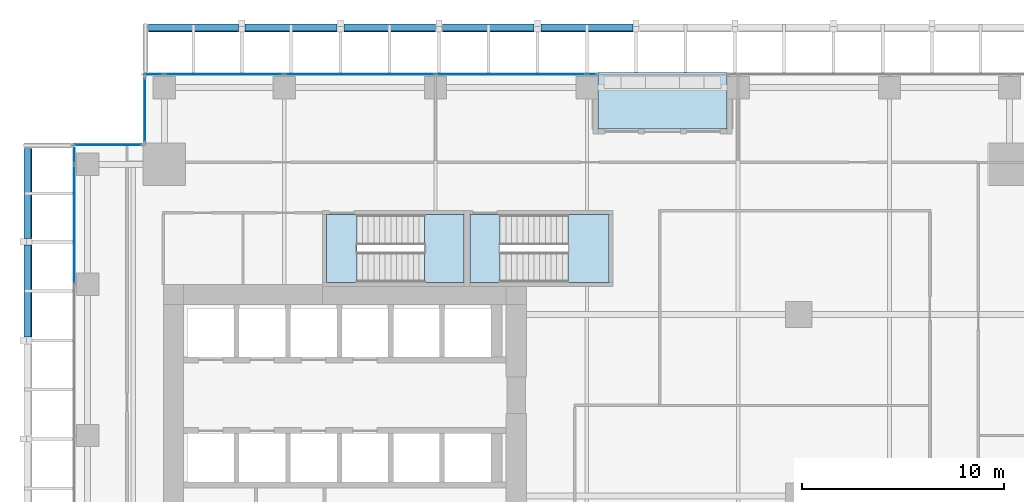
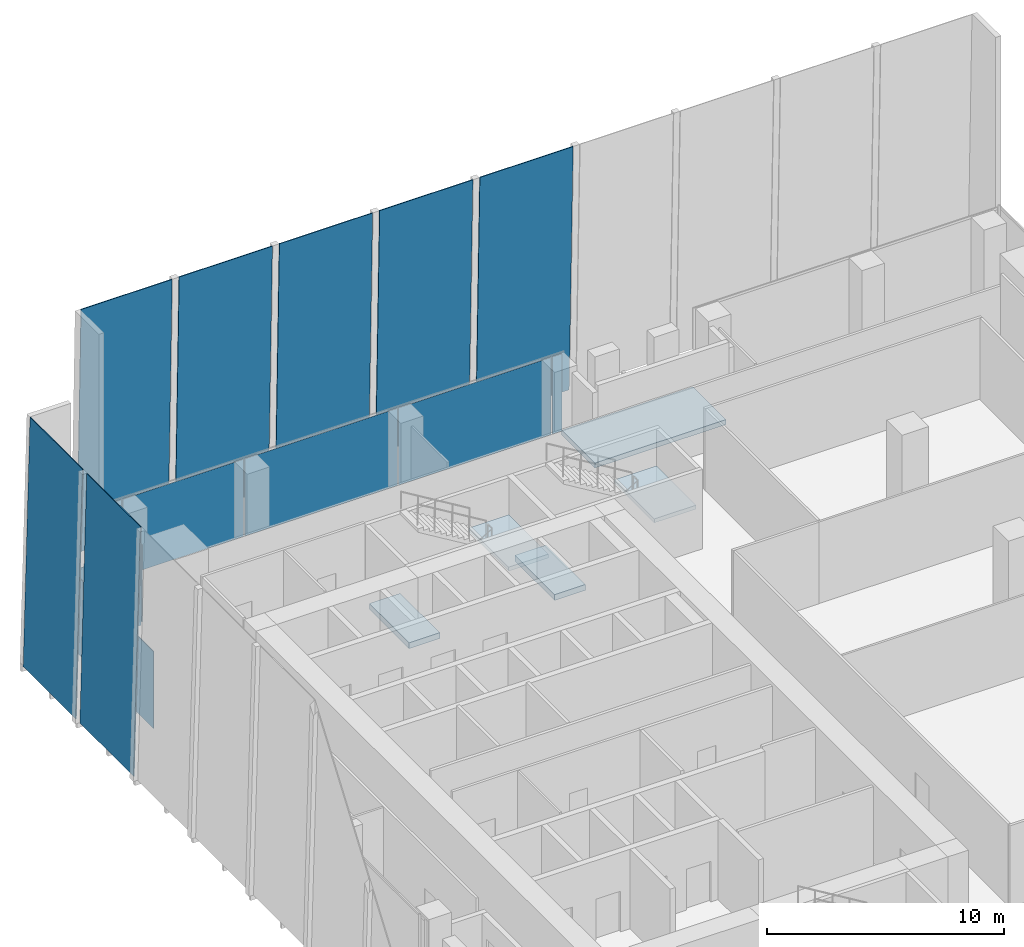
# One storey, part 24 of 34: 16 plates, 5 slabs, 6 elements without a shape of their own.
"""IFC4 building model written with IfcOpenShell, lengths in metres."""

from ifc_helpers import new_model, si_unit, direction, frame, origin, origin_2d, place, context, subcontext, project, spatial, polyline, rectangle, outline, extrude, source, transform, mapped, material, layer, layer_set, type_object, element, aggregate, save


model = new_model("IFC4")

# Units and contexts
model_context = context("Model", 3, precision=1e-05, world=origin(), true_north=direction((0.0, 1.0)))
body_context = subcontext(model_context, "Body", "Model", "MODEL_VIEW")
ifc_project = project(units=[si_unit("LENGTHUNIT", "METRE"), si_unit("AREAUNIT", "SQUARE_METRE"), si_unit("VOLUMEUNIT", "CUBIC_METRE"), si_unit("PLANEANGLEUNIT", "RADIAN"), si_unit("MASSUNIT", "GRAM", prefix="KILO")], contexts=[model_context])

# Site, building, storey
site_placement = place(None, origin())
site = spatial("IfcSite", under=ifc_project, at=site_placement, CompositionType="ELEMENT")
building_placement = place(site_placement, origin())
building = spatial("IfcBuilding", under=site, at=building_placement, Name="Khomas Fold Tower", CompositionType="ELEMENT")
storey_placement = place(building_placement, frame((0.0, 0.0, 114.699951171875)))
storey = spatial("IfcBuildingStorey", under=building, at=storey_placement, Name="L24", CompositionType="ELEMENT", Elevation=114.699951171875)

# Plates
ifc_material_1 = material(Name="Clear laminated glass", Category="glass")
ifc_layer_1 = layer(ifc_material_1, 0.0400390625)
ifc_layer_set_1 = layer_set([ifc_layer_1], Name="Clear laminated glass")
plate_type_1 = type_object("IfcPlateType", Name="SK-Clear laminated glass leaf", PredefinedType="SHEET", material=ifc_layer_set_1)
plate_1_placement = place(storey_placement, frame((5.27001953125, 54.894287109375, 0.0009765625), z_axis=(0.0, 0.999657592188, 0.026166741891), x_axis=(1.0, 0.0, 0.0)))
element("IfcPlate", 1, at=plate_1_placement, inside=storey, type_object=plate_type_1, Name="OUTER SKIN glass L24 N1", PredefinedType="SHEET", context=body_context, shape_type="SweptSolid", body=[
    extrude(outline(polyline([(0.0, 0.0), (4.448974609375, 0.0), (4.448974609375, -12.75436719496662), (0.0, -12.75436719496662), (0.0, 0.0)])), origin(), (0.0, 0.0, -1.0), 0.0400390625),
])
for number, where, z_axis, x_axis, name in (
    (2, (10.058837890625, 54.894287109375, 0.0009765625), (0.0, 0.999657592188, 0.026166741891), (1.0, 0.0, 0.0), "OUTER SKIN glass L24 N3"),
    (3, (14.94775390625, 54.894287109375, 0.0009765625), (0.0, 0.999657592188, 0.026166741891), (1.0, 0.0, 0.0), "OUTER SKIN glass L24 N5"),
    (4, (19.836669921875, 54.894287109375, 0.0009765625), (0.0, 0.999657592188, 0.026166741891), (1.0, 0.0, 0.0), "OUTER SKIN glass L24 N7"),
    (5, (24.7255859375, 54.894287109375, 0.0009765625), (0.0, 0.999657592188, 0.026166741891), (1.0, 0.0, 0.0), "OUTER SKIN glass L24 N9"),
    (6, (-0.894287109375, 39.392333984375, 0.0009765625), (-0.999657592188, 0.0, 0.026166741891), (0.0, 1.0, 0.0), "OUTER SKIN glass L24 W15"),
):
    element("IfcPlate", number, at=place(storey_placement, frame(where, z_axis=z_axis, x_axis=x_axis)), inside=storey, type_object=plate_type_1, Name=name, PredefinedType="SHEET", context=body_context, shape_type="SweptSolid", body=[
        extrude(outline(polyline([(0.0, 0.0), (4.548828125, 0.0), (4.548828125, -12.75436719496662), (0.0, -12.75436719496662), (0.0, 0.0)])), origin(), (0.0, 0.0, -1.0), 0.0400390625),
    ])
plate_2_placement = place(storey_placement, frame((-0.894287109375, 44.281005859375, 0.0009765625), z_axis=(-0.999657592188, 0.0, 0.026166741891), x_axis=(0.0, 1.0, 0.0)))
element("IfcPlate", 7, at=plate_2_placement, inside=storey, type_object=plate_type_1, Name="OUTER SKIN glass L24 W17", PredefinedType="SHEET", context=body_context, shape_type="SweptSolid", body=[
    extrude(outline(polyline([(0.0, 0.0), (4.448974609375, 0.0), (4.448974609375, -12.75436719496662), (0.0, -12.75436719496662), (0.0, 0.0)])), origin(), (0.0, 0.0, -1.0), 0.0400390625),
])

# Curtain wall, plate
ifc_material_2 = material(Name="Aluminium framed double glazing", Category="aluminium")
curtain_wall_type = type_object("IfcCurtainWallType", Name="SK-Unitised clear-glass wall, growing floors CW1", PredefinedType="NOTDEFINED", material=ifc_material_2)
curtain_wall_1_placement = place(storey_placement, origin())
curtain_wall_1 = element("IfcCurtainWall", 8, at=curtain_wall_1_placement, inside=storey, type_object=curtain_wall_type, Name="CW1 run L24 09-0", PredefinedType="NOTDEFINED")
ifc_material_3 = material(Name="Clear double glazed unit")
ifc_layer_2 = layer(ifc_material_3, 0.031982421875)
ifc_layer_set_2 = layer_set([ifc_layer_2], Name="Clear double glazed unit")
plate_type_2 = type_object("IfcPlateType", Name="SK-Unitised clear-glass wall, growing floors glass panel CW1-P", PredefinedType="CURTAIN_PANEL", material=ifc_layer_set_2)
shared_shape_1 = source(origin(), body_context, "Body", "SweptSolid", [
    extrude(rectangle(XDim=0.760009765625, YDim=0.031982421875, at=origin_2d()), origin(), (0.0, 0.0, 1.0), 3.97998046875),
])
plate_3_placement = place(storey_placement, frame((1.60009765625, 48.360107421875, 0.0), z_axis=(0.0, 0.0, 1.0), x_axis=(0.0, -1.0, 0.0)))
plate_3 = element("IfcPlate", 9, at=plate_3_placement, type_object=plate_type_2, Name="CW1 glass panel 1", PredefinedType="CURTAIN_PANEL", context=body_context, shape_type="MappedRepresentation", body=[
    mapped(shared_shape_1, transform((0.0, 0.0, 0.0))),
])

curtain_wall_2_placement = place(storey_placement, origin())
curtain_wall_2 = element("IfcCurtainWall", 10, at=curtain_wall_2_placement, inside=storey, type_object=curtain_wall_type, Name="CW1 run L24 06-1", PredefinedType="NOTDEFINED")
shared_shape_2 = source(origin(), body_context, "Body", "SweptSolid", [
    extrude(rectangle(XDim=5.889892578125, YDim=0.031982421875, at=origin_2d()), origin(), (0.0, 0.0, 1.0), 3.97998046875),
])
plate_4_placement = place(storey_placement, frame((9.02490234375, 52.39990234375, 0.0), z_axis=(0.0, 0.0, 1.0), x_axis=(-1.0, 0.0, 0.0)))
plate_4 = element("IfcPlate", 11, at=plate_4_placement, type_object=plate_type_2, Name="CW1 glass panel 4", PredefinedType="CURTAIN_PANEL", context=body_context, shape_type="MappedRepresentation", body=[
    mapped(shared_shape_2, transform((0.0, 0.0, 0.0))),
])

# Plate
plate_5_placement = place(storey_placement, frame((1.60009765625, 44.97509765625, 0.0), z_axis=(0.0, 0.0, 1.0), x_axis=(0.0, -1.0, 0.0)))
plate_5 = element("IfcPlate", 12, at=plate_5_placement, type_object=plate_type_2, Name="CW1 glass panel 2", PredefinedType="CURTAIN_PANEL", context=body_context, shape_type="MappedRepresentation", body=[
    mapped(shared_shape_2, transform((0.0, 0.0, 0.0))),
])

aggregate(curtain_wall_1, [plate_3, plate_5])

shared_shape_3 = source(origin(), body_context, "Body", "SweptSolid", [
    extrude(rectangle(XDim=7.43994140625, YDim=0.031982421875, at=origin_2d()), origin(), (0.0, 0.0, 1.0), 3.97998046875),
])
plate_6_placement = place(storey_placement, frame((23.25, 52.39990234375, 0.0), z_axis=(0.0, 0.0, 1.0), x_axis=(-1.0, 0.0, 0.0)))
plate_6 = element("IfcPlate", 13, at=plate_6_placement, type_object=plate_type_2, Name="CW1 glass panel 2", PredefinedType="CURTAIN_PANEL", context=body_context, shape_type="MappedRepresentation", body=[
    mapped(shared_shape_3, transform((0.0, 0.0, 0.0))),
])

plate_7_placement = place(storey_placement, frame((15.75, 52.39990234375, 0.0), z_axis=(0.0, 0.0, 1.0), x_axis=(-1.0, 0.0, 0.0)))
plate_7 = element("IfcPlate", 14, at=plate_7_placement, type_object=plate_type_2, Name="CW1 glass panel 3", PredefinedType="CURTAIN_PANEL", context=body_context, shape_type="MappedRepresentation", body=[
    mapped(shared_shape_3, transform((0.0, 0.0, 0.0))),
])

shared_shape_4 = source(origin(), body_context, "Body", "SweptSolid", [
    extrude(rectangle(XDim=0.9599609375, YDim=0.031982421875, at=origin_2d()), origin(), (0.0, 0.0, 1.0), 3.97998046875),
])
plate_8_placement = place(storey_placement, frame((5.5400390625, 52.39990234375, 0.0), z_axis=(0.0, 0.0, 1.0), x_axis=(-1.0, 0.0, 0.0)))
plate_8 = element("IfcPlate", 15, at=plate_8_placement, type_object=plate_type_2, Name="CW1 glass panel 5", PredefinedType="CURTAIN_PANEL", context=body_context, shape_type="MappedRepresentation", body=[
    mapped(shared_shape_4, transform((0.0, 0.0, 0.0))),
])

# Curtain wall, plate
curtain_wall_3_placement = place(storey_placement, origin())
curtain_wall_3 = element("IfcCurtainWall", 16, at=curtain_wall_3_placement, inside=storey, type_object=curtain_wall_type, Name="CW1 corner return L24 07", PredefinedType="NOTDEFINED")
shared_shape_5 = source(origin(), body_context, "Body", "SweptSolid", [
    extrude(rectangle(XDim=3.179931640625, YDim=0.031982421875, at=origin_2d()), origin(), (0.0, 0.0, 1.0), 3.97998046875),
])
plate_9_placement = place(storey_placement, frame((5.10009765625, 50.64990234375, 0.0), z_axis=(0.0, 0.0, 1.0), x_axis=(0.0, -1.0, 0.0)))
plate_9 = element("IfcPlate", 17, at=plate_9_placement, type_object=plate_type_2, Name="CW1 glass panel 1", PredefinedType="CURTAIN_PANEL", context=body_context, shape_type="MappedRepresentation", body=[
    mapped(shared_shape_5, transform((0.0, 0.0, 0.0))),
])
aggregate(curtain_wall_3, [plate_9])

curtain_wall_4_placement = place(storey_placement, origin())
curtain_wall_4 = element("IfcCurtainWall", 18, at=curtain_wall_4_placement, inside=storey, type_object=curtain_wall_type, Name="CW1 corner return L24 08", PredefinedType="NOTDEFINED")
shared_shape_6 = source(origin(), body_context, "Body", "SweptSolid", [
    extrude(rectangle(XDim=3.3798828125, YDim=0.031982421875, at=origin_2d()), origin(), (0.0, 0.0, 1.0), 3.97998046875),
])
plate_10_placement = place(storey_placement, frame((3.25, 48.89990234375, 0.0), z_axis=(0.0, 0.0, 1.0), x_axis=(-1.0, 0.0, 0.0)))
plate_10 = element("IfcPlate", 19, at=plate_10_placement, type_object=plate_type_2, Name="CW1 glass panel 1", PredefinedType="CURTAIN_PANEL", context=body_context, shape_type="MappedRepresentation", body=[
    mapped(shared_shape_6, transform((0.0, 0.0, 0.0))),
])
aggregate(curtain_wall_4, [plate_10])

# Plate
shared_shape_7 = source(origin(), body_context, "Body", "SweptSolid", [
    extrude(rectangle(XDim=0.4599609375, YDim=0.031982421875, at=origin_2d()), origin(), (0.0, 0.0, 1.0), 3.97998046875),
])
plate_11_placement = place(storey_placement, frame((27.260009765625, 52.39990234375, 0.0), z_axis=(0.0, 0.0, 1.0), x_axis=(-1.0, 0.0, 0.0)))
plate_11 = element("IfcPlate", 20, at=plate_11_placement, type_object=plate_type_2, Name="CW1 glass panel 1", PredefinedType="CURTAIN_PANEL", context=body_context, shape_type="MappedRepresentation", body=[
    mapped(shared_shape_7, transform((0.0, 0.0, 0.0))),
])

aggregate(curtain_wall_2, [plate_11, plate_6, plate_7, plate_4, plate_8])

# Slab
ifc_material_4 = material(Name="Concrete C40/50", Category="concrete")
ifc_layer_3 = layer(ifc_material_4, 0.2548828125)
ifc_layer_set_3 = layer_set([ifc_layer_3], Name="Concrete C40/50")
slab_type_1 = type_object("IfcSlabType", Name="BL-Balcony deck 255", PredefinedType="FLOOR", material=ifc_layer_set_3)
shared_shape_8 = source(origin(), body_context, "Body", "SweptSolid", [
    extrude(outline(polyline([(27.550048828125, 49.699951171875), (33.949951171875, 49.699951171875), (33.949951171875, 52.5), (27.550048828125, 52.5), (27.550048828125, 49.699951171875)])), origin(), (0.0, 0.0, 1.0), 0.255126953125),
])
slab_1_placement = place(storey_placement, frame((0.0, 0.0, -0.300048828125)))
element("IfcSlab", 21, at=slab_1_placement, inside=storey, type_object=slab_type_1, Name="Balcony deck BAL-L24-N3", PredefinedType="FLOOR", context=body_context, shape_type="MappedRepresentation", body=[
    mapped(shared_shape_8, transform((0.0, 0.0, 0.0))),
])

# Stair, slab
ifc_material_5 = material(Name="Concrete C40/50", Category="concrete")
stair_type_1 = type_object("IfcStairType", Name="Stair ST1", PredefinedType="HALF_TURN_STAIR", material=ifc_material_5)
stair_1_placement = place(storey_placement, origin())
stair_1 = element("IfcStair", 22, at=stair_1_placement, inside=storey, type_object=stair_type_1, Name="L24 ST1", PredefinedType="HALF_TURN_STAIR")
ifc_material_6 = material(Name="Concrete C40/50", Category="concrete")
ifc_layer_4 = layer(ifc_material_6, 0.199951171875)
ifc_layer_set_4 = layer_set([ifc_layer_4], Name="Concrete C40/50")
slab_type_2 = type_object("IfcSlabType", Name="Stair landing 200", PredefinedType="LANDING", material=ifc_layer_set_4)
shared_shape_9 = source(origin(), body_context, "Body", "SweptSolid", [
    extrude(outline(polyline([(18.9599609375, 42.10009765625), (20.89990234375, 42.10009765625), (20.89990234375, 45.449951171875), (18.9599609375, 45.449951171875), (18.9599609375, 42.10009765625)])), origin(), (0.0, 0.0, 1.0), 0.199951171875),
])
slab_2_placement = place(storey_placement, frame((0.0, 0.0, 2.0)))
slab_2 = element("IfcSlab", 23, at=slab_2_placement, type_object=slab_type_2, Name="ST1 landing 1", PredefinedType="LANDING", context=body_context, shape_type="MappedRepresentation", body=[
    mapped(shared_shape_9, transform((0.0, 0.0, 0.0))),
])
aggregate(stair_1, [slab_2])

# Slab
ifc_material_7 = material(Name="Concrete C40/50", Category="concrete")
ifc_layer_5 = layer(ifc_material_7, 0.300048828125)
ifc_layer_set_5 = layer_set([ifc_layer_5], Name="Concrete C40/50")
slab_type_3 = type_object("IfcSlabType", Name="Stair floor landing 300", PredefinedType="LANDING", material=ifc_layer_set_5)
shared_shape_10 = source(origin(), body_context, "Body", "SweptSolid", [
    extrude(outline(polyline([(15.60009765625, 42.10009765625), (14.10009765625, 42.10009765625), (14.10009765625, 45.449951171875), (15.60009765625, 45.449951171875), (15.60009765625, 42.10009765625)])), origin(), (0.0, 0.0, 1.0), 0.300048828125),
])
slab_3_placement = place(storey_placement, frame((0.0, 0.0, -0.300048828125)))
element("IfcSlab", 24, at=slab_3_placement, inside=storey, type_object=slab_type_3, Name="ST1 floor landing", PredefinedType="LANDING", context=body_context, shape_type="MappedRepresentation", body=[
    mapped(shared_shape_10, transform((0.0, 0.0, 0.0))),
])

# Stair, slab
ifc_material_8 = material(Name="Concrete C40/50", Category="concrete")
stair_type_2 = type_object("IfcStairType", Name="Stair ST3", PredefinedType="HALF_TURN_STAIR", material=ifc_material_8)
stair_2_placement = place(storey_placement, origin())
stair_2 = element("IfcStair", 25, at=stair_2_placement, inside=storey, type_object=stair_type_2, Name="L24 ST3", PredefinedType="HALF_TURN_STAIR")
shared_shape_11 = source(origin(), body_context, "Body", "SweptSolid", [
    extrude(outline(polyline([(26.06005859375, 42.10009765625), (28.10009765625, 42.10009765625), (28.10009765625, 45.449951171875), (26.06005859375, 45.449951171875), (26.06005859375, 42.10009765625)])), origin(), (0.0, 0.0, 1.0), 0.199951171875),
])
slab_4_placement = place(storey_placement, frame((0.0, 0.0, 2.0)))
slab_4 = element("IfcSlab", 26, at=slab_4_placement, type_object=slab_type_2, Name="ST3 landing 1", PredefinedType="LANDING", context=body_context, shape_type="MappedRepresentation", body=[
    mapped(shared_shape_11, transform((0.0, 0.0, 0.0))),
])
aggregate(stair_2, [slab_4])

# Slab
shared_shape_12 = source(origin(), body_context, "Body", "SweptSolid", [
    extrude(outline(polyline([(22.699951171875, 42.10009765625), (21.199951171875, 42.10009765625), (21.199951171875, 45.449951171875), (22.699951171875, 45.449951171875), (22.699951171875, 42.10009765625)])), origin(), (0.0, 0.0, 1.0), 0.300048828125),
])
slab_5_placement = place(storey_placement, frame((0.0, 0.0, -0.300048828125)))
element("IfcSlab", 27, at=slab_5_placement, inside=storey, type_object=slab_type_3, Name="ST3 floor landing", PredefinedType="LANDING", context=body_context, shape_type="MappedRepresentation", body=[
    mapped(shared_shape_12, transform((0.0, 0.0, 0.0))),
])

save(model, "model.ifc")
